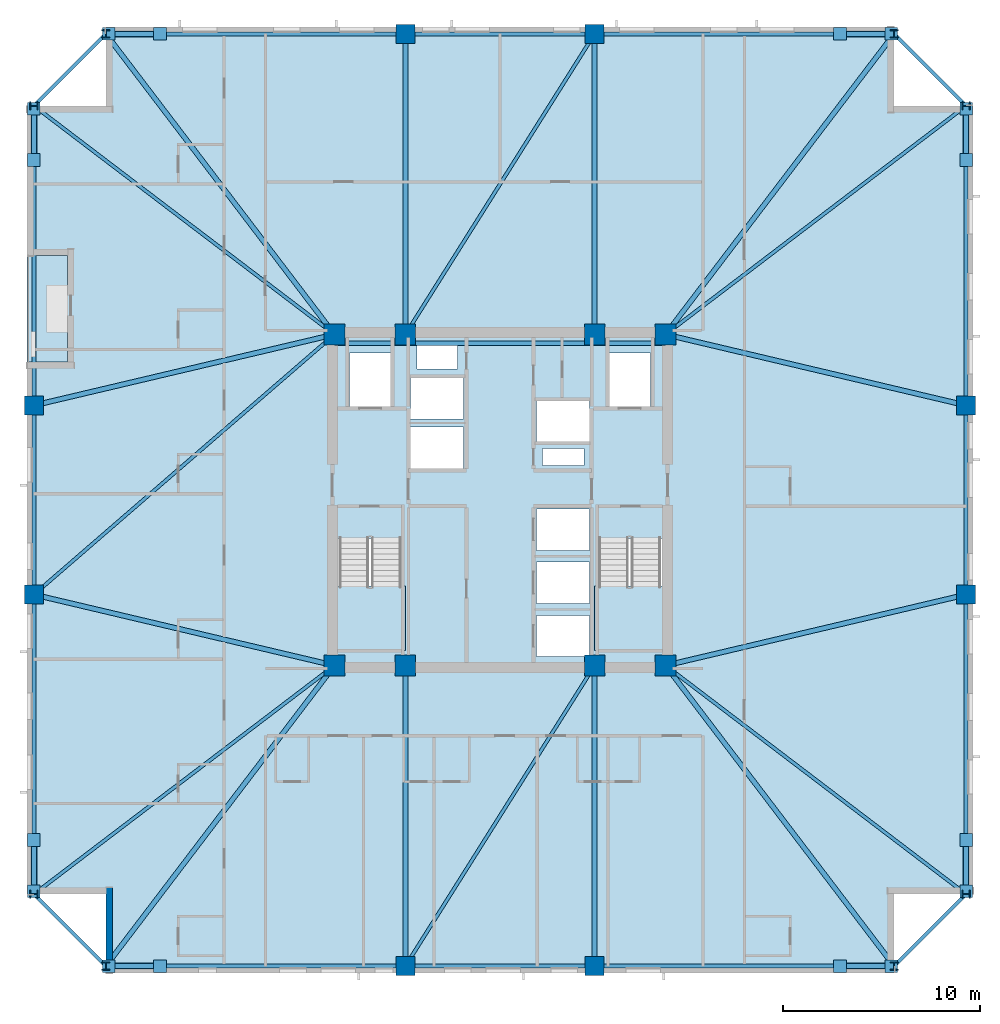
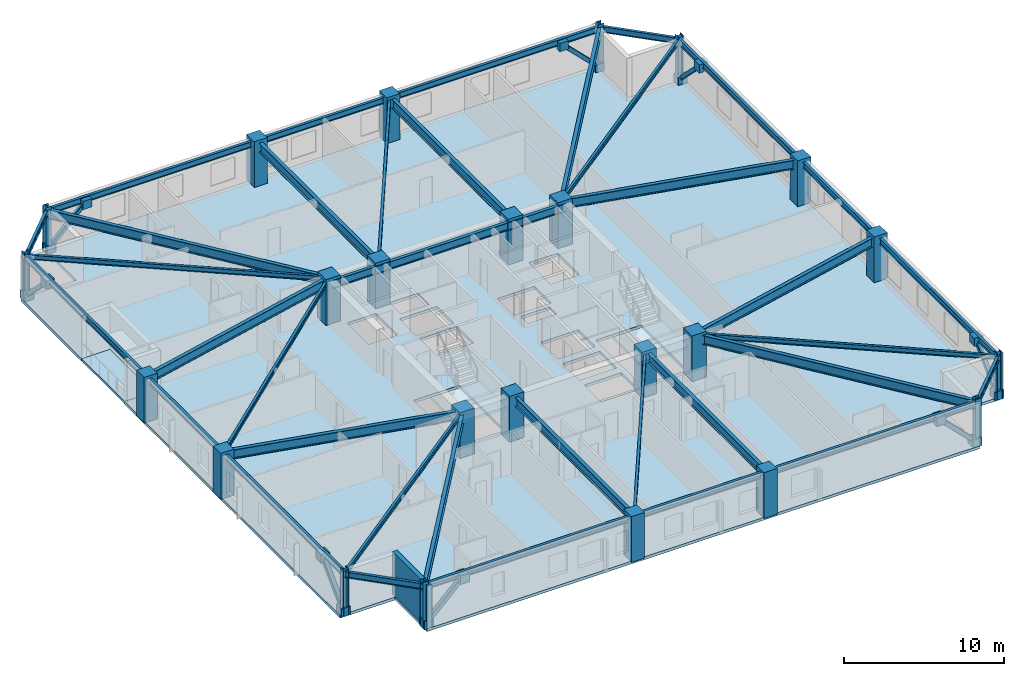
# One storey, part 1 of 11: 38 beams, 24 columns, 16 plates, 8 members, 4 slabs, 1 wall, 2 elements without a shape of their own.
"""IFC4 building model written with IfcOpenShell, lengths in metres."""

from ifc_helpers import new_model, si_unit, direction, frame, frame_2d, origin, origin_2d, place, context, subcontext, project, spatial, polyline, rectangle, hollow_rectangle, i_section, outline, extrude, material, layer, layer_set, material_profile, profile_set, type_object, element, aggregate, save


model = new_model("IFC4")

# Units and contexts
model_context = context("Model", 3, precision=1e-05, world=origin(), true_north=direction((0.0, 1.0)))
body_context = subcontext(model_context, "Body", "Model", "MODEL_VIEW")
ifc_project = project(units=[si_unit("LENGTHUNIT", "METRE"), si_unit("AREAUNIT", "SQUARE_METRE"), si_unit("VOLUMEUNIT", "CUBIC_METRE"), si_unit("PLANEANGLEUNIT", "RADIAN"), si_unit("MASSUNIT", "GRAM", prefix="KILO")], contexts=[model_context])

# Site, building, storey
site_placement = place(None, origin())
site = spatial("IfcSite", under=ifc_project, at=site_placement, CompositionType="ELEMENT")
building_placement = place(site_placement, origin())
building = spatial("IfcBuilding", under=site, at=building_placement, Name="Cairnveth Concourse Tower", CompositionType="ELEMENT")
storey_placement = place(building_placement, frame((0.0, 0.0, 116.5)))
storey = spatial("IfcBuildingStorey", under=building, at=storey_placement, Name="L31", CompositionType="ELEMENT", Elevation=116.5)

# Columns
ifc_material_1 = material(Name="Concrete N65 (65 MPa)", Category="concrete")
ifc_material_profile_1 = material_profile(ifc_material_1, rectangle(XDim=1.050048828125, YDim=1.050048828125, at=origin_2d()), Name="RC-COL-1050x1050")
ifc_profile_set_1 = profile_set([ifc_material_profile_1], Name="Concrete N65 (65 MPa)")
column_type_1 = type_object("IfcColumnType", Name="CORE COLUMN 1050X1050", PredefinedType="COLUMN", material=ifc_profile_set_1)
for number, where, z_axis, x_axis, name in (
    (1, (43.60009765625, 30.60009765625, 0.0), (0.0, 0.0, 1.0), (1.0, 0.0, 0.0), "Column CC1 L31"),
    (2, (47.199951171875, 30.60009765625, 0.0), (0.0, 0.0, 1.0), (1.0, 0.0, 0.0), "Column CC2 L31"),
    (3, (56.800048828125, 30.60009765625, 0.0), (0.0, 0.0, 1.0), (1.0, 0.0, 0.0), "Column CC3 L31"),
    (4, (60.39990234375, 30.60009765625, 0.0), (0.0, 0.0, 1.0), (1.0, 0.0, 0.0), "Column CC4 L31"),
    (5, (43.60009765625, 47.39990234375, 0.0), (0.0, 0.0, 1.0), (1.0, 0.0, 0.0), "Column CC5 L31"),
    (6, (47.199951171875, 47.39990234375, 0.0), (0.0, 0.0, 1.0), (1.0, 0.0, 0.0), "Column CC6 L31"),
    (7, (56.800048828125, 47.39990234375, 0.0), (0.0, 0.0, 1.0), (1.0, 0.0, 0.0), "Column CC7 L31"),
    (8, (60.39990234375, 47.39990234375, 0.0), (0.0, 0.0, 1.0), (1.0, 0.0, 0.0), "Column CC8 L31"),
):
    element("IfcColumn", number, at=place(storey_placement, frame(where, z_axis=z_axis, x_axis=x_axis)), inside=storey, type_object=column_type_1, Name=name, PredefinedType="COLUMN", context=body_context, shape_type="SweptSolid", body=[
        extrude(rectangle(XDim=1.050048828125, YDim=1.050048828125, at=origin_2d()), origin(), (0.0, 0.0, 1.0), 3.5),
    ])
ifc_material_profile_2 = material_profile(ifc_material_1, rectangle(XDim=0.949951171875, YDim=0.949951171875, at=origin_2d()), Name="RC-COL-950x950")
ifc_profile_set_2 = profile_set([ifc_material_profile_2], Name="Concrete N65 (65 MPa)")
column_type_2 = type_object("IfcColumnType", Name="PERIMETER PIER COLUMN 950X950", PredefinedType="COLUMN", material=ifc_profile_set_2)
for number, where, z_axis, x_axis, name in (
    (9, (47.199951171875, 15.35009765625, 0.0), (0.0, 0.0, 1.0), (1.0, 0.0, 0.0), "Column P-S2 L31"),
    (10, (56.800048828125, 15.35009765625, 0.0), (0.0, 0.0, 1.0), (1.0, 0.0, 0.0), "Column P-S3 L31"),
    (11, (75.64990234375, 34.199951171875, 0.0), (0.0, 0.0, 1.0), (0.0, 1.0, 0.0), "Column P-E2 L31"),
    (12, (75.64990234375, 43.800048828125, 0.0), (0.0, 0.0, 1.0), (0.0, 1.0, 0.0), "Column P-E3 L31"),
    (13, (56.800048828125, 62.64990234375, 0.0), (0.0, 0.0, 1.0), (1.0, 0.0, 0.0), "Column P-N2 L31"),
    (14, (47.199951171875, 62.64990234375, 0.0), (0.0, 0.0, 1.0), (1.0, 0.0, 0.0), "Column P-N3 L31"),
    (15, (28.35009765625, 43.800048828125, 0.0), (0.0, 0.0, 1.0), (0.0, 1.0, 0.0), "Column P-W2 L31"),
    (16, (28.35009765625, 34.199951171875, 0.0), (0.0, 0.0, 1.0), (0.0, 1.0, 0.0), "Column P-W3 L31"),
):
    element("IfcColumn", number, at=place(storey_placement, frame(where, z_axis=z_axis, x_axis=x_axis)), inside=storey, type_object=column_type_2, Name=name, PredefinedType="COLUMN", context=body_context, shape_type="SweptSolid", body=[
        extrude(rectangle(XDim=0.949951171875, YDim=0.949951171875, at=origin_2d()), origin(), (0.0, 0.0, 1.0), 3.5),
    ])
ifc_material_2 = material(Name="Steel Grade 350", Category="steel")
ifc_material_profile_3 = material_profile(ifc_material_2, i_section(OverallWidth=0.39990234375, OverallDepth=0.39990234375, WebThickness=0.02197265625, FlangeThickness=0.035888671875, at=origin_2d()), Name="400WC270")
ifc_profile_set_3 = profile_set([ifc_material_profile_3], Name="Steel Grade 350")
column_type_3 = type_object("IfcColumnType", Name="WELDED STEEL COLUMN 400WC270", PredefinedType="COLUMN", material=ifc_profile_set_3)
for number, where, z_axis, x_axis, name in (
    (17, (32.0, 15.35009765625, 0.0), (0.0, 0.0, 1.0), (1.0, 0.0, 0.0), "Column P-S1 L31"),
    (18, (72.0, 15.35009765625, 0.0), (0.0, 0.0, 1.0), (1.0, 0.0, 0.0), "Column P-S4 L31"),
    (19, (75.64990234375, 19.0, 0.0), (0.0, 0.0, 1.0), (0.0, 1.0, 0.0), "Column P-E1 L31"),
    (20, (75.64990234375, 59.0, 0.0), (0.0, 0.0, 1.0), (0.0, 1.0, 0.0), "Column P-E4 L31"),
    (21, (72.0, 62.64990234375, 0.0), (0.0, 0.0, 1.0), (1.0, 0.0, 0.0), "Column P-N1 L31"),
    (22, (32.0, 62.64990234375, 0.0), (0.0, 0.0, 1.0), (1.0, 0.0, 0.0), "Column P-N4 L31"),
    (23, (28.35009765625, 59.0, 0.0), (0.0, 0.0, 1.0), (0.0, 1.0, 0.0), "Column P-W1 L31"),
    (24, (28.35009765625, 19.0, 0.0), (0.0, 0.0, 1.0), (0.0, 1.0, 0.0), "Column P-W4 L31"),
):
    element("IfcColumn", number, at=place(storey_placement, frame(where, z_axis=z_axis, x_axis=x_axis)), inside=storey, type_object=column_type_3, Name=name, PredefinedType="COLUMN", context=body_context, shape_type="SweptSolid", body=[
        extrude(i_section(OverallWidth=0.39990234375, OverallDepth=0.39990234375, WebThickness=0.02197265625, FlangeThickness=0.035888671875, at=origin_2d()), origin(), (0.0, 0.0, 1.0), 3.5),
    ])

# Beams
ifc_material_profile_4 = material_profile(ifc_material_2, i_section(OverallWidth=0.22802734375, OverallDepth=0.60693359375, WebThickness=0.01123046875, FlangeThickness=0.017333984375, FilletRadius=0.013916015625, at=origin_2d()), Name="610UB113")
ifc_profile_set_4 = profile_set([ifc_material_profile_4], Name="Steel Grade 350")
beam_type_1 = type_object("IfcBeamType", Name="CORE TIE BEAM 610UB113", PredefinedType="T_BEAM", material=ifc_profile_set_4)
for number, where, z_axis, x_axis, name in (
    (25, (43.60009765625, 46.949951171875, 2.9765625), (1.0, 0.0, 0.0), (0.0, 1.0, 0.0), "Beam CT-N1 L31"),
    (26, (56.800048828125, 46.949951171875, 2.9765625), (1.0, 0.0, 0.0), (0.0, 1.0, 0.0), "Beam CT-N3 L31"),
):
    element("IfcBeam", number, at=place(storey_placement, frame(where, z_axis=z_axis, x_axis=x_axis)), inside=storey, type_object=beam_type_1, Name=name, PredefinedType="T_BEAM", context=body_context, shape_type="SweptSolid", body=[
        extrude(i_section(OverallWidth=0.22802734375, OverallDepth=0.60693359375, WebThickness=0.01123046875, FlangeThickness=0.017333984375, FilletRadius=0.013916015625, at=origin_2d()), origin(), (0.0, 0.0, 1.0), 3.599853515625),
    ])
beam_1_placement = place(storey_placement, frame((47.199951171875, 46.949951171875, 2.9765625), z_axis=(1.0, 0.0, 0.0), x_axis=(0.0, 1.0, 0.0)))
element("IfcBeam", 27, at=beam_1_placement, inside=storey, type_object=beam_type_1, Name="Beam CT-N2 L31", PredefinedType="T_BEAM", context=body_context, shape_type="SweptSolid", body=[
    extrude(i_section(OverallWidth=0.22802734375, OverallDepth=0.60693359375, WebThickness=0.01123046875, FlangeThickness=0.017333984375, FilletRadius=0.013916015625, at=origin_2d()), origin(), (0.0, 0.0, 1.0), 9.60009765625),
])
ifc_material_profile_5 = material_profile(ifc_material_2, i_section(OverallWidth=0.172119140625, OverallDepth=0.35888671875, WebThickness=0.008056640625, FlangeThickness=0.012939453125, FilletRadius=0.010986328125, at=origin_2d()), Name="360UB56.7")
ifc_profile_set_5 = profile_set([ifc_material_profile_5], Name="Steel Grade 350")
beam_type_2 = type_object("IfcBeamType", Name="ZONE 2 FLOOR JOIST 360UB56.7", PredefinedType="JOIST", material=ifc_profile_set_5)
for number, where, z_axis, x_axis, name in (
    (28, (28.35009765625, 19.0, 3.1005859375), (0.795908242904, 0.6054172684, 0.0), (-0.6054172684, 0.795908242904, 0.0), "Beam FJ-CSW2 L31"),
    (29, (75.64990234375, 19.0, 3.1005859375), (-0.795908242904, 0.6054172684, 0.0), (-0.6054172684, -0.795908242904, 0.0), "Beam FJ-CSE2 L31"),
    (30, (75.64990234375, 59.0, 3.1005859375), (-0.795908242904, -0.6054172684, 0.0), (0.6054172684, -0.795908242904, 0.0), "Beam FJ-CNE2 L31"),
    (31, (28.35009765625, 59.0, 3.1005859375), (0.795908242904, -0.6054172684, 0.0), (0.6054172684, 0.795908242904, 0.0), "Beam FJ-CNW2 L31"),
):
    element("IfcBeam", number, at=place(storey_placement, frame(where, z_axis=z_axis, x_axis=x_axis)), inside=storey, type_object=beam_type_2, Name=name, PredefinedType="JOIST", context=body_context, shape_type="SweptSolid", body=[
        extrude(i_section(OverallWidth=0.172119140625, OverallDepth=0.35888671875, WebThickness=0.008056640625, FlangeThickness=0.012939453125, FilletRadius=0.010986328125, at=origin_2d()), origin(), (0.0, 0.0, 1.0), 19.160400390625),
    ])
for number, where, z_axis, x_axis, name in (
    (32, (47.199951171875, 15.35009765625, 3.1005859375), (0.532743557037, 0.84627672923, 0.0), (-0.84627672923, 0.532743557037, 0.0), "Beam FJ-S-M1 L31"),
    (33, (47.199951171875, 47.39990234375, 3.1005859375), (0.532743557037, 0.84627672923, 0.0), (-0.84627672923, 0.532743557037, 0.0), "Beam FJ-N-M1 L31"),
):
    element("IfcBeam", number, at=place(storey_placement, frame(where, z_axis=z_axis, x_axis=x_axis)), inside=storey, type_object=beam_type_2, Name=name, PredefinedType="JOIST", context=body_context, shape_type="SweptSolid", body=[
        extrude(i_section(OverallWidth=0.172119140625, OverallDepth=0.35888671875, WebThickness=0.008056640625, FlangeThickness=0.012939453125, FilletRadius=0.010986328125, at=origin_2d()), origin(), (0.0, 0.0, 1.0), 18.02001953125),
    ])
beam_2_placement = place(storey_placement, frame((28.35009765625, 34.199951171875, 3.1005859375), z_axis=(0.756099107057, 0.654457134049, 0.0), x_axis=(-0.654457134049, 0.756099107057, 0.0)))
element("IfcBeam", 34, at=beam_2_placement, inside=storey, type_object=beam_type_2, Name="Beam FJ-W-M1 L31", PredefinedType="JOIST", context=body_context, shape_type="SweptSolid", body=[
    extrude(i_section(OverallWidth=0.172119140625, OverallDepth=0.35888671875, WebThickness=0.008056640625, FlangeThickness=0.012939453125, FilletRadius=0.010986328125, at=origin_2d()), origin(), (0.0, 0.0, 1.0), 20.16943359375),
])

# Members
ifc_material_3 = material(Name="Steel C350L0 (350 MPa)", Category="steel")
ifc_material_profile_6 = material_profile(ifc_material_3, hollow_rectangle(XDim=0.300048828125, YDim=0.300048828125, WallThickness=0.01611328125, InnerFilletRadius=0.01611328125, OuterFilletRadius=0.031982421875, at=origin_2d()), Name="300x300x16.0SHS")
ifc_profile_set_6 = profile_set([ifc_material_profile_6], Name="Steel C350L0 (350 MPa)")
member_type = type_object("IfcMemberType", Name="ZONE 2 PIER BRACE 300X300X16SHS", PredefinedType="BRACE", material=ifc_profile_set_6)
for number, where, z_axis, x_axis, name in (
    (35, (32.14990234375, 15.35009765625, 0.25), (0.709834195787, 0.0, 0.704368805735), (0.0, 1.0, 0.0), "Structural Brace PB-S1 L31"),
    (36, (71.85009765625, 15.35009765625, 0.25), (-0.709834195787, 0.0, 0.704368805735), (0.0, -1.0, 0.0), "Structural Brace PB-S2 L31"),
    (37, (32.14990234375, 62.64990234375, 0.25), (0.709834195787, 0.0, 0.704368805735), (0.0, 1.0, 0.0), "Structural Brace PB-N1 L31"),
    (38, (71.85009765625, 62.64990234375, 0.25), (-0.709834195787, 0.0, 0.704368805735), (0.0, -1.0, 0.0), "Structural Brace PB-N2 L31"),
    (39, (28.35009765625, 19.14990234375, 0.25), (0.0, 0.709834195787, 0.704368805735), (-1.0, 0.0, 0.0), "Structural Brace PB-W1 L31"),
    (40, (28.35009765625, 58.85009765625, 0.25), (0.0, -0.709834195787, 0.704368805735), (1.0, 0.0, 0.0), "Structural Brace PB-W2 L31"),
    (41, (75.64990234375, 19.14990234375, 0.25), (0.0, 0.709834195787, 0.704368805735), (-1.0, 0.0, 0.0), "Structural Brace PB-E1 L31"),
    (42, (75.64990234375, 58.85009765625, 0.25), (0.0, -0.709834195787, 0.704368805735), (1.0, 0.0, 0.0), "Structural Brace PB-E2 L31"),
):
    element("IfcMember", number, at=place(storey_placement, frame(where, z_axis=z_axis, x_axis=x_axis)), inside=storey, type_object=member_type, Name=name, PredefinedType="BRACE", context=body_context, shape_type="SweptSolid", body=[
        extrude(hollow_rectangle(XDim=0.300048828125, YDim=0.300048828125, WallThickness=0.01611328125, InnerFilletRadius=0.01611328125, OuterFilletRadius=0.031982421875, at=origin_2d()), origin(), (0.0, 0.0, 1.0), 3.6630859375),
    ])

# Beams
ifc_material_profile_7 = material_profile(ifc_material_2, i_section(OverallWidth=0.25, OverallDepth=0.699951171875, WebThickness=0.011962890625, FlangeThickness=0.028076171875, at=origin_2d()), Name="700WB173")
ifc_profile_set_7 = profile_set([ifc_material_profile_7], Name="Steel Grade 350")
beam_type_3 = type_object("IfcBeamType", Name="ZONE 2 RADIAL GIRDER 700WB173", PredefinedType="BEAM", material=ifc_profile_set_7)
for number, where, z_axis, x_axis, name in (
    (43, (47.199951171875, 15.35009765625, 2.929931640625), (0.0, 1.0, 0.0), (-1.0, 0.0, 0.0), "Beam RG-S1 L31"),
    (44, (56.800048828125, 15.35009765625, 2.929931640625), (0.0, 1.0, 0.0), (-1.0, 0.0, 0.0), "Beam RG-S2 L31"),
    (45, (47.199951171875, 47.39990234375, 2.929931640625), (0.0, 1.0, 0.0), (-1.0, 0.0, 0.0), "Beam RG-N1 L31"),
    (46, (56.800048828125, 47.39990234375, 2.929931640625), (0.0, 1.0, 0.0), (-1.0, 0.0, 0.0), "Beam RG-N2 L31"),
):
    element("IfcBeam", number, at=place(storey_placement, frame(where, z_axis=z_axis, x_axis=x_axis)), inside=storey, type_object=beam_type_3, Name=name, PredefinedType="BEAM", context=body_context, shape_type="SweptSolid", body=[
        extrude(i_section(OverallWidth=0.25, OverallDepth=0.699951171875, WebThickness=0.011962890625, FlangeThickness=0.028076171875, at=origin_2d()), origin(), (0.0, 0.0, 1.0), 15.25),
    ])
for number, where, z_axis, x_axis, name in (
    (47, (28.35009765625, 34.199951171875, 2.929931640625), (0.973251602929, -0.229741849468, 0.0), (0.229741849468, 0.973251602929, 0.0), "Beam RG-W1 L31"),
    (48, (28.35009765625, 43.800048828125, 2.929931640625), (0.973251602929, 0.229741849468, 0.0), (-0.229741849468, 0.973251602929, 0.0), "Beam RG-W2 L31"),
    (49, (60.39990234375, 30.60009765625, 2.929931640625), (0.973251602929, 0.229741849468, 0.0), (-0.229741849468, 0.973251602929, 0.0), "Beam RG-E1 L31"),
    (50, (60.39990234375, 47.39990234375, 2.929931640625), (0.973251602929, -0.229741849468, 0.0), (0.229741849468, 0.973251602929, 0.0), "Beam RG-E2 L31"),
):
    element("IfcBeam", number, at=place(storey_placement, frame(where, z_axis=z_axis, x_axis=x_axis)), inside=storey, type_object=beam_type_3, Name=name, PredefinedType="BEAM", context=body_context, shape_type="SweptSolid", body=[
        extrude(i_section(OverallWidth=0.25, OverallDepth=0.699951171875, WebThickness=0.011962890625, FlangeThickness=0.028076171875, at=origin_2d()), origin(), (0.0, 0.0, 1.0), 15.669189453125),
    ])
for number, where, z_axis, x_axis, name in (
    (51, (32.0, 15.35009765625, 2.929931640625), (0.6054172684, 0.795908242904, 0.0), (-0.795908242904, 0.6054172684, 0.0), "Beam RG-CSW L31"),
    (52, (72.0, 15.35009765625, 2.929931640625), (-0.6054172684, 0.795908242904, 0.0), (-0.795908242904, -0.6054172684, 0.0), "Beam RG-CSE L31"),
    (53, (72.0, 62.64990234375, 2.929931640625), (-0.6054172684, -0.795908242904, 0.0), (0.795908242904, -0.6054172684, 0.0), "Beam RG-CNE L31"),
    (54, (32.0, 62.64990234375, 2.929931640625), (0.6054172684, -0.795908242904, 0.0), (0.795908242904, 0.6054172684, 0.0), "Beam RG-CNW L31"),
):
    element("IfcBeam", number, at=place(storey_placement, frame(where, z_axis=z_axis, x_axis=x_axis)), inside=storey, type_object=beam_type_3, Name=name, PredefinedType="BEAM", context=body_context, shape_type="SweptSolid", body=[
        extrude(i_section(OverallWidth=0.25, OverallDepth=0.699951171875, WebThickness=0.011962890625, FlangeThickness=0.028076171875, at=origin_2d()), origin(), (0.0, 0.0, 1.0), 19.160400390625),
    ])
ifc_material_profile_8 = material_profile(ifc_material_2, i_section(OverallWidth=0.18994140625, OverallDepth=0.45703125, WebThickness=0.009033203125, FlangeThickness=0.014404296875, FilletRadius=0.010986328125, at=origin_2d()), Name="460UB74.6")
ifc_profile_set_8 = profile_set([ifc_material_profile_8], Name="Steel Grade 350")
beam_type_4 = type_object("IfcBeamType", Name="ZONE 2 SPANDREL BEAM 460UB74.6", PredefinedType="SPANDREL", material=ifc_profile_set_8)
beam_3_placement = place(storey_placement, frame((32.0, 15.35009765625, 3.051513671875), z_axis=(1.0, 0.0, 0.0), x_axis=(0.0, 1.0, 0.0)))
element("IfcBeam", 55, at=beam_3_placement, inside=storey, type_object=beam_type_4, Name="Beam SP-S1 L31", PredefinedType="SPANDREL", context=body_context, shape_type="SweptSolid", body=[
    extrude(i_section(OverallWidth=0.18994140625, OverallDepth=0.45703125, WebThickness=0.009033203125, FlangeThickness=0.014404296875, FilletRadius=0.010986328125, at=origin_2d()), origin(), (0.0, 0.0, 1.0), 15.199951171875),
])
beam_4_placement = place(storey_placement, frame((47.199951171875, 15.35009765625, 3.051513671875), z_axis=(1.0, 0.0, 0.0), x_axis=(0.0, 1.0, 0.0)))
element("IfcBeam", 56, at=beam_4_placement, inside=storey, type_object=beam_type_4, Name="Beam SP-S2 L31", PredefinedType="SPANDREL", context=body_context, shape_type="SweptSolid", body=[
    extrude(i_section(OverallWidth=0.18994140625, OverallDepth=0.45703125, WebThickness=0.009033203125, FlangeThickness=0.014404296875, FilletRadius=0.010986328125, at=origin_2d()), origin(), (0.0, 0.0, 1.0), 9.60009765625),
])
for number, where, z_axis, x_axis, name in (
    (57, (56.800048828125, 15.35009765625, 3.051513671875), (1.0, 0.0, 0.0), (0.0, 1.0, 0.0), "Beam SP-S3 L31"),
    (58, (32.0, 62.64990234375, 3.051513671875), (1.0, 0.0, 0.0), (0.0, 1.0, 0.0), "Beam SP-N1 L31"),
):
    element("IfcBeam", number, at=place(storey_placement, frame(where, z_axis=z_axis, x_axis=x_axis)), inside=storey, type_object=beam_type_4, Name=name, PredefinedType="SPANDREL", context=body_context, shape_type="SweptSolid", body=[
        extrude(i_section(OverallWidth=0.18994140625, OverallDepth=0.45703125, WebThickness=0.009033203125, FlangeThickness=0.014404296875, FilletRadius=0.010986328125, at=origin_2d()), origin(), (0.0, 0.0, 1.0), 15.199951171875),
    ])
beam_5_placement = place(storey_placement, frame((47.199951171875, 62.64990234375, 3.051513671875), z_axis=(1.0, 0.0, 0.0), x_axis=(0.0, 1.0, 0.0)))
element("IfcBeam", 59, at=beam_5_placement, inside=storey, type_object=beam_type_4, Name="Beam SP-N2 L31", PredefinedType="SPANDREL", context=body_context, shape_type="SweptSolid", body=[
    extrude(i_section(OverallWidth=0.18994140625, OverallDepth=0.45703125, WebThickness=0.009033203125, FlangeThickness=0.014404296875, FilletRadius=0.010986328125, at=origin_2d()), origin(), (0.0, 0.0, 1.0), 9.60009765625),
])
for number, where, z_axis, x_axis, name in (
    (60, (56.800048828125, 62.64990234375, 3.051513671875), (1.0, 0.0, 0.0), (0.0, 1.0, 0.0), "Beam SP-N3 L31"),
    (61, (28.35009765625, 19.0, 3.051513671875), (0.0, 1.0, 0.0), (-1.0, 0.0, 0.0), "Beam SP-W1 L31"),
):
    element("IfcBeam", number, at=place(storey_placement, frame(where, z_axis=z_axis, x_axis=x_axis)), inside=storey, type_object=beam_type_4, Name=name, PredefinedType="SPANDREL", context=body_context, shape_type="SweptSolid", body=[
        extrude(i_section(OverallWidth=0.18994140625, OverallDepth=0.45703125, WebThickness=0.009033203125, FlangeThickness=0.014404296875, FilletRadius=0.010986328125, at=origin_2d()), origin(), (0.0, 0.0, 1.0), 15.199951171875),
    ])
beam_6_placement = place(storey_placement, frame((28.35009765625, 34.199951171875, 3.051513671875), z_axis=(0.0, 1.0, 0.0), x_axis=(-1.0, 0.0, 0.0)))
element("IfcBeam", 62, at=beam_6_placement, inside=storey, type_object=beam_type_4, Name="Beam SP-W2 L31", PredefinedType="SPANDREL", context=body_context, shape_type="SweptSolid", body=[
    extrude(i_section(OverallWidth=0.18994140625, OverallDepth=0.45703125, WebThickness=0.009033203125, FlangeThickness=0.014404296875, FilletRadius=0.010986328125, at=origin_2d()), origin(), (0.0, 0.0, 1.0), 9.60009765625),
])
for number, where, z_axis, x_axis, name in (
    (63, (28.35009765625, 43.800048828125, 3.051513671875), (0.0, 1.0, 0.0), (-1.0, 0.0, 0.0), "Beam SP-W3 L31"),
    (64, (75.64990234375, 19.0, 3.051513671875), (0.0, 1.0, 0.0), (-1.0, 0.0, 0.0), "Beam SP-E1 L31"),
):
    element("IfcBeam", number, at=place(storey_placement, frame(where, z_axis=z_axis, x_axis=x_axis)), inside=storey, type_object=beam_type_4, Name=name, PredefinedType="SPANDREL", context=body_context, shape_type="SweptSolid", body=[
        extrude(i_section(OverallWidth=0.18994140625, OverallDepth=0.45703125, WebThickness=0.009033203125, FlangeThickness=0.014404296875, FilletRadius=0.010986328125, at=origin_2d()), origin(), (0.0, 0.0, 1.0), 15.199951171875),
    ])
beam_7_placement = place(storey_placement, frame((75.64990234375, 34.199951171875, 3.051513671875), z_axis=(0.0, 1.0, 0.0), x_axis=(-1.0, 0.0, 0.0)))
element("IfcBeam", 65, at=beam_7_placement, inside=storey, type_object=beam_type_4, Name="Beam SP-E2 L31", PredefinedType="SPANDREL", context=body_context, shape_type="SweptSolid", body=[
    extrude(i_section(OverallWidth=0.18994140625, OverallDepth=0.45703125, WebThickness=0.009033203125, FlangeThickness=0.014404296875, FilletRadius=0.010986328125, at=origin_2d()), origin(), (0.0, 0.0, 1.0), 9.60009765625),
])
beam_8_placement = place(storey_placement, frame((75.64990234375, 43.800048828125, 3.051513671875), z_axis=(0.0, 1.0, 0.0), x_axis=(-1.0, 0.0, 0.0)))
element("IfcBeam", 66, at=beam_8_placement, inside=storey, type_object=beam_type_4, Name="Beam SP-E3 L31", PredefinedType="SPANDREL", context=body_context, shape_type="SweptSolid", body=[
    extrude(i_section(OverallWidth=0.18994140625, OverallDepth=0.45703125, WebThickness=0.009033203125, FlangeThickness=0.014404296875, FilletRadius=0.010986328125, at=origin_2d()), origin(), (0.0, 0.0, 1.0), 15.199951171875),
])
for number, where, z_axis, x_axis, name in (
    (67, (28.35009765625, 19.0, 3.051513671875), (0.707106781187, -0.707106781187, 0.0), (0.707106781187, 0.707106781187, 0.0), "Beam SP-SW L31"),
    (68, (72.0, 15.35009765625, 3.051513671875), (0.707106781187, 0.707106781187, 0.0), (-0.707106781187, 0.707106781187, 0.0), "Beam SP-SE L31"),
    (69, (72.0, 62.64990234375, 3.051513671875), (0.707106781187, -0.707106781187, 0.0), (0.707106781187, 0.707106781187, 0.0), "Beam SP-NE L31"),
    (70, (28.35009765625, 59.0, 3.051513671875), (0.707106781187, 0.707106781187, 0.0), (-0.707106781187, 0.707106781187, 0.0), "Beam SP-NW L31"),
):
    element("IfcBeam", number, at=place(storey_placement, frame(where, z_axis=z_axis, x_axis=x_axis)), inside=storey, type_object=beam_type_4, Name=name, PredefinedType="SPANDREL", context=body_context, shape_type="SweptSolid", body=[
        extrude(i_section(OverallWidth=0.18994140625, OverallDepth=0.45703125, WebThickness=0.009033203125, FlangeThickness=0.014404296875, FilletRadius=0.010986328125, at=origin_2d()), origin(), (0.0, 0.0, 1.0), 5.16162109375),
    ])

# Slab
ifc_material_4 = material(Name="Concrete N50 (50 MPa)", Category="concrete")
ifc_layer_1 = layer(ifc_material_4, 0.219970703125)
ifc_layer_set_1 = layer_set([ifc_layer_1], Name="Concrete N50 (50 MPa)")
slab_type_1 = type_object("IfcSlabType", Name="LOWER TOWER COMPOSITE SLAB 220", PredefinedType="FLOOR", material=ifc_layer_set_1)
slab_1_placement = place(storey_placement, frame((0.0, 0.0, -0.219970703125)))
element("IfcSlab", 71, at=slab_1_placement, inside=storey, type_object=slab_type_1, Name="Tower Floor Slab L31", PredefinedType="FLOOR", context=body_context, shape_type="SweptSolid", body=[
    extrude(outline(polyline([(28.0, 51.39990234375), (30.050048828125, 51.39990234375), (30.050048828125, 46.0), (28.0, 46.0), (28.0, 19.0), (32.0, 19.0), (32.0, 15.0), (72.0, 15.0), (72.0, 19.0), (76.0, 19.0), (76.0, 59.0), (72.0, 59.0), (72.0, 63.0), (32.0, 63.0), (32.0, 59.0), (28.0, 59.0), (28.0, 51.39990234375)]), holes=[polyline([(43.760009765625, 31.360107421875), (47.06005859375, 31.360107421875), (47.06005859375, 37.0400390625), (43.760009765625, 37.0400390625), (43.760009765625, 31.360107421875)]), polyline([(56.93994140625, 31.360107421875), (60.239990234375, 31.360107421875), (60.239990234375, 37.0400390625), (56.93994140625, 37.0400390625), (56.93994140625, 31.360107421875)]), polyline([(44.3701171875, 43.75), (46.469970703125, 43.75), (46.469970703125, 46.449951171875), (44.3701171875, 46.449951171875), (44.3701171875, 43.75)]), polyline([(57.530029296875, 43.75), (59.6298828125, 43.75), (59.6298828125, 46.449951171875), (57.530029296875, 46.449951171875), (57.530029296875, 43.75)]), polyline([(53.85009765625, 31.050048828125), (56.550048828125, 31.050048828125), (56.550048828125, 33.14990234375), (53.85009765625, 33.14990234375), (53.85009765625, 31.050048828125)]), polyline([(53.85009765625, 33.75), (56.550048828125, 33.75), (56.550048828125, 35.85009765625), (53.85009765625, 35.85009765625), (53.85009765625, 33.75)]), polyline([(53.85009765625, 36.449951171875), (56.550048828125, 36.449951171875), (56.550048828125, 38.550048828125), (53.85009765625, 38.550048828125), (53.85009765625, 36.449951171875)]), polyline([(47.449951171875, 40.60009765625), (50.14990234375, 40.60009765625), (50.14990234375, 42.699951171875), (47.449951171875, 42.699951171875), (47.449951171875, 40.60009765625)]), polyline([(47.449951171875, 43.10009765625), (50.14990234375, 43.10009765625), (50.14990234375, 45.199951171875), (47.449951171875, 45.199951171875), (47.449951171875, 43.10009765625)]), polyline([(53.85009765625, 41.949951171875), (56.550048828125, 41.949951171875), (56.550048828125, 44.050048828125), (53.85009765625, 44.050048828125), (53.85009765625, 41.949951171875)]), polyline([(47.800048828125, 45.64990234375), (49.85009765625, 45.64990234375), (49.85009765625, 47.050048828125), (47.800048828125, 47.050048828125), (47.800048828125, 45.64990234375)]), polyline([(54.14990234375, 40.75), (56.25, 40.75), (56.25, 41.6201171875), (54.14990234375, 41.6201171875), (54.14990234375, 40.75)])]), origin(), (0.0, 0.0, 1.0), 0.219970703125),
])

# Plates
ifc_layer_2 = layer(ifc_material_2, 0.031982421875)
ifc_layer_set_2 = layer_set([ifc_layer_2], Name="Steel Grade 350")
plate_type = type_object("IfcPlateType", Name="PERIMETER BRACE GUSSET PLATE 32", PredefinedType="USERDEFINED", material=ifc_layer_set_2)
for number, where, z_axis, x_axis, name in (
    (72, (32.14990234375, 15.35009765625, -0.06982421875), (0.0, 0.0, 1.0), (1.0, 0.0, 0.0), "Structural Node Plate 0529 L31"),
    (73, (34.75, 15.35009765625, 2.51025390625), (0.0, 0.0, 1.0), (1.0, 0.0, 0.0), "Structural Node Plate 0530 L31"),
    (74, (71.85009765625, 15.35009765625, -0.06982421875), (0.0, 0.0, 1.0), (1.0, 0.0, 0.0), "Structural Node Plate 0531 L31"),
    (75, (69.25, 15.35009765625, 2.51025390625), (0.0, 0.0, 1.0), (1.0, 0.0, 0.0), "Structural Node Plate 0532 L31"),
    (76, (32.14990234375, 62.64990234375, -0.06982421875), (0.0, 0.0, 1.0), (1.0, 0.0, 0.0), "Structural Node Plate 0533 L31"),
    (77, (34.75, 62.64990234375, 2.51025390625), (0.0, 0.0, 1.0), (1.0, 0.0, 0.0), "Structural Node Plate 0534 L31"),
    (78, (71.85009765625, 62.64990234375, -0.06982421875), (0.0, 0.0, 1.0), (1.0, 0.0, 0.0), "Structural Node Plate 0535 L31"),
    (79, (69.25, 62.64990234375, 2.51025390625), (0.0, 0.0, 1.0), (1.0, 0.0, 0.0), "Structural Node Plate 0536 L31"),
    (80, (28.35009765625, 19.14990234375, -0.06982421875), (0.0, 0.0, 1.0), (1.0, 0.0, 0.0), "Structural Node Plate 0537 L31"),
    (81, (28.35009765625, 21.75, 2.51025390625), (0.0, 0.0, 1.0), (1.0, 0.0, 0.0), "Structural Node Plate 0538 L31"),
    (82, (28.35009765625, 58.85009765625, -0.06982421875), (0.0, 0.0, 1.0), (1.0, 0.0, 0.0), "Structural Node Plate 0539 L31"),
    (83, (28.35009765625, 56.25, 2.51025390625), (0.0, 0.0, 1.0), (1.0, 0.0, 0.0), "Structural Node Plate 0540 L31"),
    (84, (75.64990234375, 19.14990234375, -0.06982421875), (0.0, 0.0, 1.0), (1.0, 0.0, 0.0), "Structural Node Plate 0541 L31"),
    (85, (75.64990234375, 21.75, 2.51025390625), (0.0, 0.0, 1.0), (1.0, 0.0, 0.0), "Structural Node Plate 0542 L31"),
    (86, (75.64990234375, 58.85009765625, -0.06982421875), (0.0, 0.0, 1.0), (1.0, 0.0, 0.0), "Structural Node Plate 0543 L31"),
    (87, (75.64990234375, 56.25, 2.51025390625), (0.0, 0.0, 1.0), (1.0, 0.0, 0.0), "Structural Node Plate 0544 L31"),
):
    element("IfcPlate", number, at=place(storey_placement, frame(where, z_axis=z_axis, x_axis=x_axis)), inside=storey, type_object=plate_type, Name=name, ObjectType="GUSSET PLATE", PredefinedType="USERDEFINED", context=body_context, shape_type="SweptSolid", body=[
        extrude(rectangle(XDim=0.639892578125, YDim=0.639892578125, at=origin_2d()), origin(), (0.0, 0.0, 1.0), 0.639892578125),
    ])

# Slab
ifc_layer_3 = layer(ifc_material_4, 0.18994140625)
ifc_layer_set_3 = layer_set([ifc_layer_3], Name="Concrete N50 (50 MPa)")
slab_type_2 = type_object("IfcSlabType", Name="SPIRAL OUTDOOR TERRACE SLAB 190", PredefinedType="FLOOR", material=ifc_layer_set_3)
slab_2_placement = place(storey_placement, frame((0.0, 0.0, -0.18994140625)))
element("IfcSlab", 88, at=slab_2_placement, inside=storey, type_object=slab_type_2, Name="Spiral Terrace Slab L31", PredefinedType="FLOOR", context=body_context, shape_type="SweptSolid", body=[
    extrude(outline(polyline([(28.0, 46.0), (30.050048828125, 46.0), (30.050048828125, 51.39990234375), (28.0, 51.39990234375), (28.0, 46.0)])), origin(), (0.0, 0.0, 1.0), 0.18994140625),
])

# Stair, slab
ifc_material_5 = material(Name="Precast concrete N50 (50 MPa)", Category="concrete")
stair_type = type_object("IfcStairType", Name="CORE DOG-LEG FIRE STAIR 1500", PredefinedType="HALF_TURN_STAIR", material=ifc_material_5)
stair_1_placement = place(storey_placement, origin())
stair_1 = element("IfcStair", 89, at=stair_1_placement, inside=storey, type_object=stair_type, Name="L31 Fire-Isolated Stair ST-1", PredefinedType="HALF_TURN_STAIR")
ifc_layer_4 = layer(ifc_material_4, 0.199951171875)
ifc_layer_set_4 = layer_set([ifc_layer_4], Name="Concrete N50 (50 MPa)")
slab_type_3 = type_object("IfcSlabType", Name="STAIR HALF LANDING SLAB 200", PredefinedType="LANDING", material=ifc_layer_set_4)
slab_3_placement = place(storey_placement, frame((0.0, 0.0, 1.550048828125)))
slab_3 = element("IfcSlab", 90, at=slab_3_placement, type_object=slab_type_3, Name="ST-1 landing 1", PredefinedType="LANDING", context=body_context, shape_type="SweptSolid", body=[
    extrude(outline(polyline([(43.6201171875, 34.639892578125), (43.6201171875, 31.3701171875), (47.199951171875, 31.3701171875), (47.199951171875, 34.639892578125), (43.6201171875, 34.639892578125)])), origin(), (0.0, 0.0, 1.0), 0.199951171875),
])
aggregate(stair_1, [slab_3])

stair_2_placement = place(storey_placement, origin())
stair_2 = element("IfcStair", 91, at=stair_2_placement, inside=storey, type_object=stair_type, Name="L31 Fire-Isolated Stair ST-2", PredefinedType="HALF_TURN_STAIR")
slab_4_placement = place(storey_placement, frame((0.0, 0.0, 1.550048828125)))
slab_4 = element("IfcSlab", 92, at=slab_4_placement, type_object=slab_type_3, Name="ST-2 landing 1", PredefinedType="LANDING", context=body_context, shape_type="SweptSolid", body=[
    extrude(outline(polyline([(56.800048828125, 34.639892578125), (56.800048828125, 31.3701171875), (60.3798828125, 31.3701171875), (60.3798828125, 34.639892578125), (56.800048828125, 34.639892578125)])), origin(), (0.0, 0.0, 1.0), 0.199951171875),
])
aggregate(stair_2, [slab_4])

# Wall
ifc_material_6 = material(Name="Hawthorn Red-Ochre Fired Clay Brick Masonry", Category="masonry")
ifc_layer_5 = layer(ifc_material_6, 0.340087890625)
ifc_layer_set_5 = layer_set([ifc_layer_5], Name="Hawthorn Red-Ochre Fired Clay Brick Masonry")
wall_type = type_object("IfcWallType", Name="ZONE 2 BRICK PIER SPANDREL WALL 340", PredefinedType="SOLIDWALL", material=ifc_layer_set_5)
wall_placement = place(storey_placement, frame((32.169921875, 15.0, 0.0), z_axis=(0.0, 0.0, 1.0), x_axis=(0.0, 1.0, 0.0)))
element("IfcWall", 93, at=wall_placement, inside=storey, type_object=wall_type, Name="Exterior Wall EW-L31-S10", PredefinedType="SOLIDWALL", context=body_context, shape_type="SweptSolid", body=[
    extrude(rectangle(XDim=4.340087890625, YDim=0.340087890625, at=frame_2d((2.169921875, 0.0))), origin(), (0.0, 0.0, 1.0), 3.280029296875),
])

save(model, "model.ifc")
